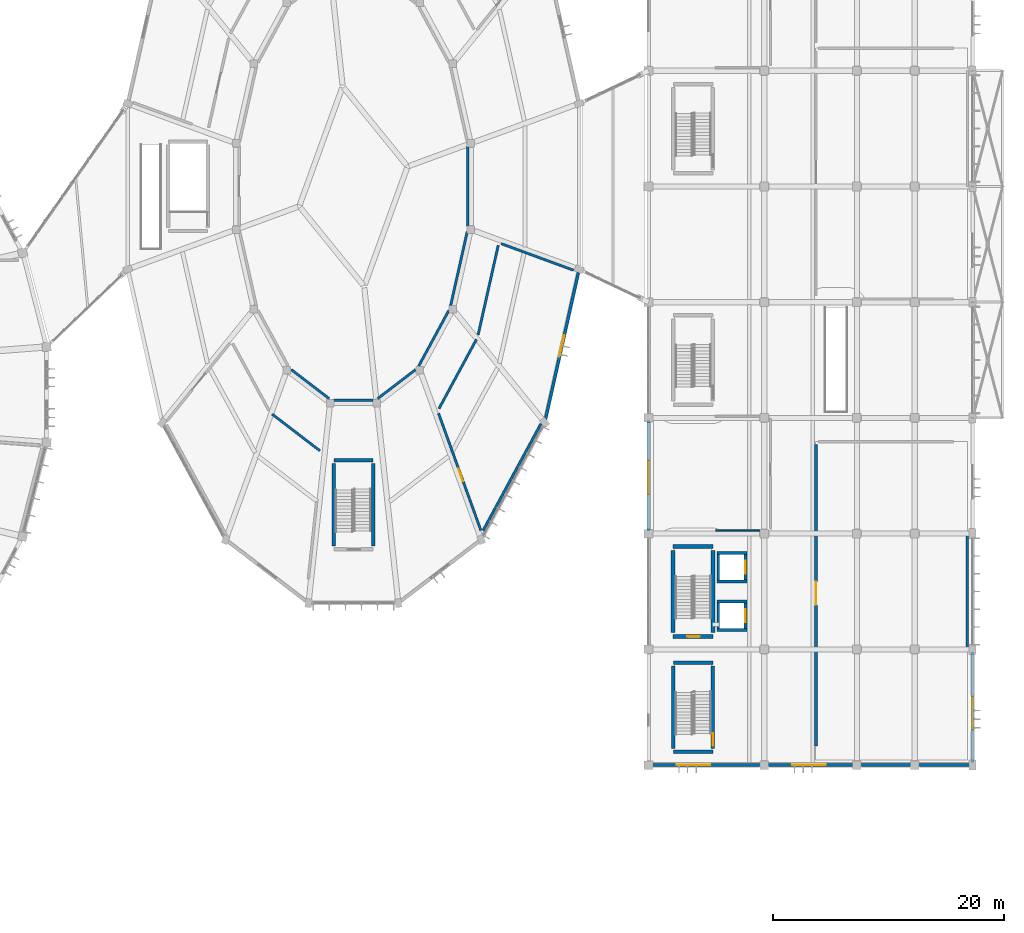
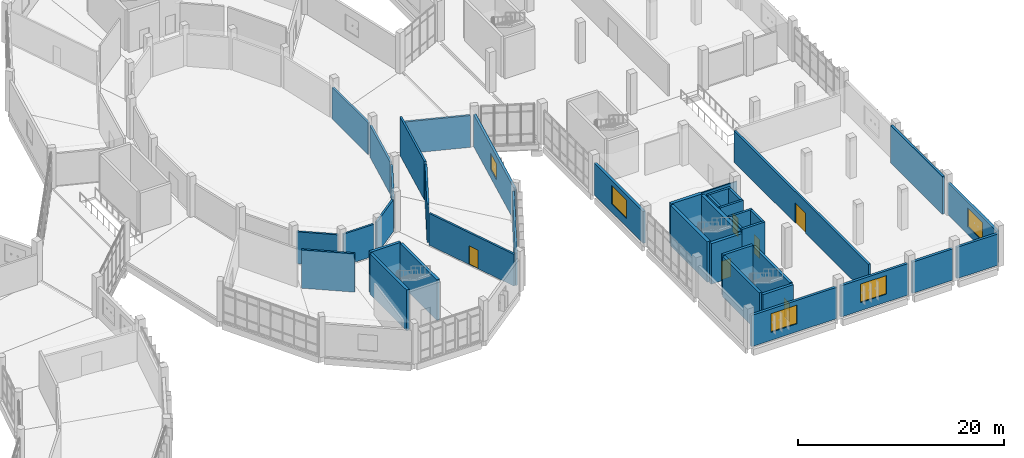
# One storey, part 124 of 179: 41 walls, 6 doors, 5 windows, 11 openings.
"""IFC4 building model written with IfcOpenShell, lengths in metres."""

from ifc_helpers import new_model, si_unit, direction, frame, frame_2d, origin, place, context, subcontext, project, spatial, rectangle, extrude, material, layer, layer_set, type_object, element, fill, save


model = new_model("IFC4")

# Units and contexts
model_context = context("Model", 3, precision=1e-05, world=origin(), true_north=direction((0.0, 1.0)))
body_context = subcontext(model_context, "Body", "Model", "MODEL_VIEW")
ifc_project = project(units=[si_unit("LENGTHUNIT", "METRE"), si_unit("AREAUNIT", "SQUARE_METRE"), si_unit("VOLUMEUNIT", "CUBIC_METRE"), si_unit("PLANEANGLEUNIT", "RADIAN"), si_unit("MASSUNIT", "GRAM", prefix="KILO")], contexts=[model_context])

# Site, building, storey
site_placement = place(None, origin())
site = spatial("IfcSite", under=ifc_project, at=site_placement, CompositionType="ELEMENT")
building_placement = place(site_placement, origin())
building = spatial("IfcBuilding", under=site, at=building_placement, Name="Corvandel Quay Wholesale Market", CompositionType="ELEMENT")
storey_placement = place(building_placement, frame((0.0, 0.0, 6.0)))
storey = spatial("IfcBuildingStorey", under=building, at=storey_placement, Name="L01", CompositionType="ELEMENT", Elevation=6.0)

# Wall, opening, window
ifc_material_1 = material(Name="Buff-pigmented precast concrete C45/55", Category="concrete")
ifc_layer_1 = layer(ifc_material_1, 0.280029296875)
ifc_layer_set_1 = layer_set([ifc_layer_1], Name="Buff-pigmented precast concrete C45/55")
wall_type_1 = type_object("IfcWallType", Name="Colonnade Spandrel Precast Wall EW07 280", PredefinedType="SOLIDWALL", material=ifc_layer_set_1)
wall_1_placement = place(storey_placement, frame((248.0, 10.219970703125, 0.0), z_axis=(0.0, 0.0, 1.0), x_axis=(0.0, 1.0, 0.0)))
wall_1 = element("IfcWall", 1, at=wall_1_placement, inside=storey, type_object=wall_type_1, Name="Exterior Wall EW-0349", PredefinedType="SOLIDWALL", context=body_context, shape_type="SweptSolid", body=[
    extrude(rectangle(XDim=9.56005859375, YDim=0.280029296875, at=frame_2d((4.780029296875, 0.0))), origin(), (0.0, 0.0, 1.0), 3.760009765625),
])
opening_1_placement = place(wall_1_placement, frame((2.800048828125, 0.0, 0.89990234375)))
opening_1 = element("IfcOpeningElement", 2, at=opening_1_placement, cuts=wall_1, Name="Opening L01-W086", PredefinedType="OPENING", context=body_context, shape_type="SweptSolid", body=[
    extrude(rectangle(XDim=2.89990234375, YDim=2.199951171875, at=frame_2d((1.449951171875, 1.10009765625))), frame((0.0, 0.14990234375, 0.0), z_axis=(0.0, -1.0, 0.0), x_axis=(1.0, 0.0, 0.0)), (0.0, 0.0, 1.0), 0.300048828125),
])
ifc_material_2 = material(Name="Thermally broken bronze anodised aluminium and solar-control low-E double glazing", Category="aluminium")
window_type_1 = type_object("IfcWindowType", Name="Canteen Harbour Window WN18 2900x2200", PartitioningType="SINGLE_PANEL", PredefinedType="WINDOW", material=ifc_material_2)
window_1_placement = place(opening_1_placement, origin())
window_1 = element("IfcWindow", 3, at=window_1_placement, inside=storey, type_object=window_type_1, Name="Window L01-W086", OverallHeight=2.199951171875, OverallWidth=2.89990234375, PartitioningType="SINGLE_PANEL", PredefinedType="WINDOW", context=body_context, shape_type="SweptSolid", body=[
    extrude(rectangle(XDim=2.89990234375, YDim=2.199951171875, at=frame_2d((1.449951171875, 1.10009765625))), frame((0.0, 0.030029296875, 0.0), z_axis=(0.0, -1.0, 0.0), x_axis=(1.0, 0.0, 0.0)), (0.0, 0.0, 1.0), 0.06005859375),
])
fill(opening_1, window_1)

wall_2_placement = place(storey_placement, frame((220.0, 30.219970703125, 0.0), z_axis=(0.0, 0.0, 1.0), x_axis=(0.0, 1.0, 0.0)))
wall_2 = element("IfcWall", 4, at=wall_2_placement, inside=storey, type_object=wall_type_1, Name="Exterior Wall EW-0352", PredefinedType="SOLIDWALL", context=body_context, shape_type="SweptSolid", body=[
    extrude(rectangle(XDim=9.56005859375, YDim=0.280029296875, at=frame_2d((4.780029296875, 0.0))), origin(), (0.0, 0.0, 1.0), 3.760009765625),
])
opening_2_placement = place(wall_2_placement, frame((3.199951171875, 0.0, 0.949951171875)))
opening_2 = element("IfcOpeningElement", 5, at=opening_2_placement, cuts=wall_2, Name="Opening L01-W089", PredefinedType="OPENING", context=body_context, shape_type="SweptSolid", body=[
    extrude(rectangle(XDim=2.89990234375, YDim=2.199951171875, at=frame_2d((1.449951171875, 1.10009765625))), frame((0.0, 0.14990234375, 0.0), z_axis=(0.0, -1.0, 0.0), x_axis=(1.0, 0.0, 0.0)), (0.0, 0.0, 1.0), 0.300048828125),
])
window_2_placement = place(opening_2_placement, origin())
window_2 = element("IfcWindow", 6, at=window_2_placement, inside=storey, type_object=window_type_1, Name="Window L01-W089", OverallHeight=2.199951171875, OverallWidth=2.89990234375, PartitioningType="SINGLE_PANEL", PredefinedType="WINDOW", context=body_context, shape_type="SweptSolid", body=[
    extrude(rectangle(XDim=2.89990234375, YDim=2.199951171875, at=frame_2d((1.449951171875, 1.10009765625))), frame((0.0, 0.030029296875, 0.0), z_axis=(0.0, -1.0, 0.0), x_axis=(1.0, 0.0, 0.0)), (0.0, 0.0, 1.0), 0.06005859375),
])
fill(opening_2, window_2)

wall_3_placement = place(storey_placement, frame((220.219970703125, 10.0, 0.0), z_axis=(0.0, 0.0, 1.0), x_axis=(1.0, 0.0, 0.0)))
wall_3 = element("IfcWall", 7, at=wall_3_placement, inside=storey, type_object=wall_type_1, Name="Exterior Wall EW-0358", PredefinedType="SOLIDWALL", context=body_context, shape_type="SweptSolid", body=[
    extrude(rectangle(XDim=9.56005859375, YDim=0.280029296875, at=frame_2d((4.780029296875, 0.0))), origin(), (0.0, 0.0, 1.0), 3.7099609375),
])
opening_3_placement = place(wall_3_placement, frame((2.199951171875, 0.0, 0.949951171875)))
opening_3 = element("IfcOpeningElement", 8, at=opening_3_placement, cuts=wall_3, Name="Opening L01-W095", PredefinedType="OPENING", context=body_context, shape_type="SweptSolid", body=[
    extrude(rectangle(XDim=2.89990234375, YDim=2.199951171875, at=frame_2d((1.449951171875, 1.10009765625))), frame((0.0, 0.14990234375, 0.0), z_axis=(0.0, -1.0, 0.0), x_axis=(1.0, 0.0, 0.0)), (0.0, 0.0, 1.0), 0.300048828125),
])
window_3_placement = place(opening_3_placement, origin())
window_3 = element("IfcWindow", 9, at=window_3_placement, inside=storey, type_object=window_type_1, Name="Window L01-W095", OverallHeight=2.199951171875, OverallWidth=2.89990234375, PartitioningType="SINGLE_PANEL", PredefinedType="WINDOW", context=body_context, shape_type="SweptSolid", body=[
    extrude(rectangle(XDim=2.89990234375, YDim=2.199951171875, at=frame_2d((1.449951171875, 1.10009765625))), frame((0.0, 0.030029296875, 0.0), z_axis=(0.0, -1.0, 0.0), x_axis=(1.0, 0.0, 0.0)), (0.0, 0.0, 1.0), 0.06005859375),
])
fill(opening_3, window_3)

wall_4_placement = place(storey_placement, frame((230.219970703125, 10.0, 0.0), z_axis=(0.0, 0.0, 1.0), x_axis=(1.0, 0.0, 0.0)))
wall_4 = element("IfcWall", 10, at=wall_4_placement, inside=storey, type_object=wall_type_1, Name="Exterior Wall EW-0360", PredefinedType="SOLIDWALL", context=body_context, shape_type="SweptSolid", body=[
    extrude(rectangle(XDim=7.56005859375, YDim=0.280029296875, at=frame_2d((3.780029296875, 0.0))), origin(), (0.0, 0.0, 1.0), 3.7099609375),
])
opening_4_placement = place(wall_4_placement, frame((2.199951171875, 0.0, 0.949951171875)))
opening_4 = element("IfcOpeningElement", 11, at=opening_4_placement, cuts=wall_4, Name="Opening L01-W097", PredefinedType="OPENING", context=body_context, shape_type="SweptSolid", body=[
    extrude(rectangle(XDim=2.89990234375, YDim=2.199951171875, at=frame_2d((1.449951171875, 1.10009765625))), frame((0.0, 0.14990234375, 0.0), z_axis=(0.0, -1.0, 0.0), x_axis=(1.0, 0.0, 0.0)), (0.0, 0.0, 1.0), 0.300048828125),
])
window_4_placement = place(opening_4_placement, origin())
window_4 = element("IfcWindow", 12, at=window_4_placement, inside=storey, type_object=window_type_1, Name="Window L01-W097", OverallHeight=2.199951171875, OverallWidth=2.89990234375, PartitioningType="SINGLE_PANEL", PredefinedType="WINDOW", context=body_context, shape_type="SweptSolid", body=[
    extrude(rectangle(XDim=2.89990234375, YDim=2.199951171875, at=frame_2d((1.449951171875, 1.10009765625))), frame((0.0, 0.030029296875, 0.0), z_axis=(0.0, -1.0, 0.0), x_axis=(1.0, 0.0, 0.0)), (0.0, 0.0, 1.0), 0.06005859375),
])
fill(opening_4, window_4)

# Walls
for number, where, z_axis, x_axis, name in (
    (13, (238.219970703125, 10.0, 0.0), (0.0, 0.0, 1.0), (1.0, 0.0, 0.0), "Exterior Wall EW-0362"),
    (14, (243.219970703125, 10.0, 0.0), (0.0, 0.0, 1.0), (1.0, 0.0, 0.0), "Exterior Wall EW-0364"),
):
    element("IfcWall", number, at=place(storey_placement, frame(where, z_axis=z_axis, x_axis=x_axis)), inside=storey, type_object=wall_type_1, Name=name, PredefinedType="SOLIDWALL", context=body_context, shape_type="SweptSolid", body=[
        extrude(rectangle(XDim=4.56005859375, YDim=0.280029296875, at=frame_2d((2.280029296875, 0.0))), origin(), (0.0, 0.0, 1.0), 3.7099609375),
    ])

# Wall, opening, door
ifc_material_3 = material(Name="Concrete C40/50", Category="concrete")
ifc_layer_2 = layer(ifc_material_3, 0.35009765625)
ifc_layer_set_2 = layer_set([ifc_layer_2], Name="Concrete C40/50")
wall_type_2 = type_object("IfcWallType", Name="Core Shear Wall SW01 350", PredefinedType="SHEAR", material=ifc_layer_set_2)
wall_5_placement = place(storey_placement, frame((222.125, 21.125, 0.0), z_axis=(0.0, 0.0, 1.0), x_axis=(1.0, 0.0, 0.0)))
wall_5 = element("IfcWall", 15, at=wall_5_placement, inside=storey, type_object=wall_type_2, Name="Shear Wall IW-0165", PredefinedType="SHEAR", context=body_context, shape_type="SweptSolid", body=[
    extrude(rectangle(XDim=3.449951171875, YDim=0.35009765625, at=frame_2d((1.72509765625, 0.0))), origin(), (0.0, 0.0, 1.0), 4.800048828125),
])
opening_5_placement = place(wall_5_placement, frame((1.199951171875, 0.0, 0.0)))
opening_5 = element("IfcOpeningElement", 16, at=opening_5_placement, cuts=wall_5, Name="Opening L01-D017", PredefinedType="OPENING", context=body_context, shape_type="SweptSolid", body=[
    extrude(rectangle(XDim=1.10009765625, YDim=2.199951171875, at=frame_2d((0.550048828125, 1.10009765625))), frame((0.0, 0.18505859375, 0.0), z_axis=(0.0, -1.0, 0.0), x_axis=(1.0, 0.0, 0.0)), (0.0, 0.0, 1.0), 0.3701171875),
])
ifc_material_4 = material(Name="Galvanised fire-rated hollow steel", Category="steel")
door_type_1 = type_object("IfcDoorType", Name="Exit Stair Fire Door ID02 1100x2200R", OperationType="SINGLE_SWING_RIGHT", PredefinedType="DOOR", material=ifc_material_4)
door_1_placement = place(opening_5_placement, origin())
door_1 = element("IfcDoor", 17, at=door_1_placement, inside=storey, type_object=door_type_1, Name="Exit Stair Door SH16-L01", OperationType="SINGLE_SWING_RIGHT", OverallHeight=2.199951171875, OverallWidth=1.10009765625, PredefinedType="DOOR", context=body_context, shape_type="SweptSolid", body=[
    extrude(rectangle(XDim=1.10009765625, YDim=2.199951171875, at=frame_2d((0.550048828125, 1.10009765625))), frame((0.0, 0.02490234375, 0.0), z_axis=(0.0, -1.0, 0.0), x_axis=(1.0, 0.0, 0.0)), (0.0, 0.0, 1.0), 0.050048828125),
])
fill(opening_5, door_1)

# Walls
wall_6_placement = place(storey_placement, frame((222.125, 28.875, 0.0), z_axis=(0.0, 0.0, 1.0), x_axis=(1.0, 0.0, 0.0)))
element("IfcWall", 18, at=wall_6_placement, inside=storey, type_object=wall_type_2, Name="Shear Wall IW-0166", PredefinedType="SHEAR", context=body_context, shape_type="SweptSolid", body=[
    extrude(rectangle(XDim=3.449951171875, YDim=0.35009765625, at=frame_2d((1.72509765625, 0.0))), origin(), (0.0, 0.0, 1.0), 4.800048828125),
])
for number, where, z_axis, x_axis, name in (
    (19, (222.125, 21.43994140625, 0.0), (0.0, 0.0, 1.0), (0.0, 1.0, 0.0), "Shear Wall IW-0167"),
    (20, (225.574951171875, 21.43994140625, 0.0), (0.0, 0.0, 1.0), (0.0, 1.0, 0.0), "Shear Wall IW-0168"),
):
    element("IfcWall", number, at=place(storey_placement, frame(where, z_axis=z_axis, x_axis=x_axis)), inside=storey, type_object=wall_type_2, Name=name, PredefinedType="SHEAR", context=body_context, shape_type="SweptSolid", body=[
        extrude(rectangle(XDim=7.1201171875, YDim=0.35009765625, at=frame_2d((3.56005859375, 0.0))), origin(), (0.0, 0.0, 1.0), 4.800048828125),
    ])
ifc_material_5 = material(Name="Gypsum-clad steel stud framing", Category="steel")
ifc_layer_3 = layer(ifc_material_5, 0.2099609375)
ifc_layer_set_3 = layer_set([ifc_layer_3], Name="Gypsum-clad steel stud framing")
wall_type_3 = type_object("IfcWallType", Name="Corridor Rated Partition PT02 210", PredefinedType="PARTITIONING", material=ifc_layer_set_3)
wall_7_placement = place(storey_placement, frame((204.331787109375, 56.09033203125, 0.0), z_axis=(0.0, 0.0, 1.0), x_axis=(-0.218983275202, -0.975728612464, 0.0)))
element("IfcWall", 21, at=wall_7_placement, inside=storey, type_object=wall_type_3, Name="Interior Wall IW-0711", PredefinedType="PARTITIONING", context=body_context, shape_type="SweptSolid", body=[
    extrude(rectangle(XDim=6.546630859375, YDim=0.2099609375, at=frame_2d((3.2734375, 0.0))), origin(), (0.0, 0.0, 1.0), 3.760009765625),
])
wall_8_placement = place(storey_placement, frame((202.7451171875, 49.29443359375, 0.0), z_axis=(0.0, 0.0, 1.0), x_axis=(-0.476219723691, -0.879326318705, 0.0)))
element("IfcWall", 22, at=wall_8_placement, inside=storey, type_object=wall_type_3, Name="Interior Wall IW-0712", PredefinedType="PARTITIONING", context=body_context, shape_type="SweptSolid", body=[
    extrude(rectangle(XDim=5.456298828125, YDim=0.2099609375, at=frame_2d((2.72802734375, 0.0))), origin(), (0.0, 0.0, 1.0), 3.760009765625),
])
wall_9_placement = place(storey_placement, frame((199.8671875, 44.16943359375, 0.0), z_axis=(0.0, 0.0, 1.0), x_axis=(-0.794324097456, -0.607494220714, 0.0)))
element("IfcWall", 23, at=wall_9_placement, inside=storey, type_object=wall_type_3, Name="Interior Wall IW-0713", PredefinedType="PARTITIONING", context=body_context, shape_type="SweptSolid", body=[
    extrude(rectangle(XDim=4.1083984375, YDim=0.2099609375, at=frame_2d((2.05419921875, 0.0))), origin(), (0.0, 0.0, 1.0), 3.760009765625),
])
wall_10_placement = place(storey_placement, frame((196.208984375, 41.5400390625, 0.0), z_axis=(0.0, 0.0, 1.0), x_axis=(-1.0, 0.0, 0.0)))
element("IfcWall", 24, at=wall_10_placement, inside=storey, type_object=wall_type_3, Name="Interior Wall IW-0714", PredefinedType="PARTITIONING", context=body_context, shape_type="SweptSolid", body=[
    extrude(rectangle(XDim=3.41796875, YDim=0.2099609375, at=frame_2d((1.708984375, 0.0))), origin(), (0.0, 0.0, 1.0), 3.760009765625),
])
wall_11_placement = place(storey_placement, frame((192.396240234375, 41.673583984375, 0.0), z_axis=(0.0, 0.0, 1.0), x_axis=(-0.794324097456, 0.607494220714, 0.0)))
element("IfcWall", 25, at=wall_11_placement, inside=storey, type_object=wall_type_3, Name="Interior Wall IW-0715", PredefinedType="PARTITIONING", context=body_context, shape_type="SweptSolid", body=[
    extrude(rectangle(XDim=4.1083984375, YDim=0.2099609375, at=frame_2d((2.05419921875, 0.0))), origin(), (0.0, 0.0, 1.0), 3.760009765625),
])
wall_12_placement = place(storey_placement, frame((204.3798828125, 63.47509765625, 0.0), z_axis=(0.0, 0.0, 1.0), x_axis=(0.0, -1.0, 0.0)))
element("IfcWall", 26, at=wall_12_placement, inside=storey, type_object=wall_type_3, Name="Interior Wall IW-0726", PredefinedType="PARTITIONING", context=body_context, shape_type="SweptSolid", body=[
    extrude(rectangle(XDim=6.9501953125, YDim=0.2099609375, at=frame_2d((3.47509765625, 0.0))), origin(), (0.0, 0.0, 1.0), 3.760009765625),
])
wall_13_placement = place(storey_placement, frame((187.4736328125, 40.3271484375, 0.0), z_axis=(0.0, 0.0, 1.0), x_axis=(0.793657647785, -0.608364642392, 0.0)))
element("IfcWall", 27, at=wall_13_placement, inside=storey, type_object=wall_type_3, Name="Interior Wall IW-0742", PredefinedType="PARTITIONING", context=body_context, shape_type="SweptSolid", body=[
    extrude(rectangle(XDim=5.209716796875, YDim=0.2099609375, at=frame_2d((2.60498046875, 0.0))), origin(), (0.0, 0.0, 1.0), 4.5400390625),
])
wall_14_placement = place(storey_placement, frame((201.8837890625, 40.78857421875, 0.0), z_axis=(0.0, 0.0, 1.0), x_axis=(0.475826771509, 0.87953901762, 0.0)))
element("IfcWall", 28, at=wall_14_placement, inside=storey, type_object=wall_type_3, Name="Interior Wall IW-0744", PredefinedType="PARTITIONING", context=body_context, shape_type="SweptSolid", body=[
    extrude(rectangle(XDim=6.80810546875, YDim=0.2099609375, at=frame_2d((3.404052734375, 0.0))), origin(), (0.0, 0.0, 1.0), 4.5400390625),
])
wall_15_placement = place(storey_placement, frame((205.276123046875, 47.184814453125, 0.0), z_axis=(0.0, 0.0, 1.0), x_axis=(0.219151477766, 0.975690847448, 0.0)))
element("IfcWall", 29, at=wall_15_placement, inside=storey, type_object=wall_type_3, Name="Interior Wall IW-0745", PredefinedType="PARTITIONING", context=body_context, shape_type="SweptSolid", body=[
    extrude(rectangle(XDim=7.924072265625, YDim=0.2099609375, at=frame_2d((3.9619140625, 0.0))), origin(), (0.0, 0.0, 1.0), 4.5400390625),
])
wall_16_placement = place(storey_placement, frame((207.267578125, 55.05517578125, 0.0), z_axis=(0.0, 0.0, 1.0), x_axis=(0.938715317885, -0.344693417356, 0.0)))
element("IfcWall", 30, at=wall_16_placement, inside=storey, type_object=wall_type_3, Name="Interior Wall IW-0746", PredefinedType="PARTITIONING", context=body_context, shape_type="SweptSolid", body=[
    extrude(rectangle(XDim=6.653564453125, YDim=0.2099609375, at=frame_2d((3.32666015625, 0.0))), origin(), (0.0, 0.0, 1.0), 3.760009765625),
])
wall_17_placement = place(storey_placement, frame((210.69921875, 39.49951171875, 0.0), z_axis=(0.0, 0.0, 1.0), x_axis=(-0.476238988817, -0.879315884953, 0.0)))
element("IfcWall", 31, at=wall_17_placement, inside=storey, type_object=wall_type_3, Name="Interior Wall IW-0747", PredefinedType="PARTITIONING", context=body_context, shape_type="SweptSolid", body=[
    extrude(rectangle(XDim=10.508056640625, YDim=0.2099609375, at=frame_2d((5.25390625, 0.0))), origin(), (0.0, 0.0, 1.0), 3.81005859375),
])

# Wall, opening, door
wall_18_placement = place(storey_placement, frame((205.51513671875, 30.27294921875, 0.0), z_axis=(0.0, 0.0, 1.0), x_axis=(-0.340335914529, 0.940303921763, 0.0)))
wall_18 = element("IfcWall", 32, at=wall_18_placement, inside=storey, type_object=wall_type_3, Name="Interior Wall IW-0748", PredefinedType="PARTITIONING", context=body_context, shape_type="SweptSolid", body=[
    extrude(rectangle(XDim=10.75732421875, YDim=0.2099609375, at=frame_2d((5.378662109375, 0.0))), origin(), (0.0, 0.0, 1.0), 3.760009765625),
])
opening_6_placement = place(wall_18_placement, frame((4.529052734375, 0.0, 0.0)))
opening_6 = element("IfcOpeningElement", 33, at=opening_6_placement, cuts=wall_18, Name="Opening L01-D051", PredefinedType="OPENING", context=body_context, shape_type="SweptSolid", body=[
    extrude(rectangle(XDim=1.14990234375, YDim=2.199951171875, at=frame_2d((0.574951171875, 1.10009765625))), frame((0.0, 0.114990234375, 0.0), z_axis=(0.0, -1.0, 0.0), x_axis=(1.0, 0.0, 0.0)), (0.0, 0.0, 1.0), 0.22998046875),
])
ifc_material_6 = material(Name="HPL-faced hygienic timber core", Category="wood")
door_type_2 = type_object("IfcDoorType", Name="Inspection Suite Door ID20 1150x2200L", OperationType="SINGLE_SWING_LEFT", PredefinedType="DOOR", material=ifc_material_6)
door_2_placement = place(opening_6_placement, origin())
door_2 = element("IfcDoor", 34, at=door_2_placement, inside=storey, type_object=door_type_2, Name="Auction Specimen Inspection Lounge Door", OperationType="SINGLE_SWING_LEFT", OverallHeight=2.199951171875, OverallWidth=1.14990234375, PredefinedType="DOOR", context=body_context, shape_type="SweptSolid", body=[
    extrude(rectangle(XDim=1.14990234375, YDim=2.199951171875, at=frame_2d((0.574951171875, 1.10009765625))), frame((0.0, 0.02490234375, 0.0), z_axis=(0.0, -1.0, 0.0), x_axis=(1.0, 0.0, 0.0)), (0.0, 0.0, 1.0), 0.050048828125),
])
fill(opening_6, door_2)

ifc_material_7 = material(Name="Lightweight concrete blockwork", Category="masonry")
ifc_layer_4 = layer(ifc_material_7, 0.239990234375)
ifc_layer_set_4 = layer_set([ifc_layer_4], Name="Lightweight concrete blockwork")
wall_type_4 = type_object("IfcWallType", Name="Fire Compartment Partition PT01 240", PredefinedType="PARTITIONING", material=ifc_layer_set_4)
wall_19_placement = place(storey_placement, frame((234.4599609375, 11.669921875, 0.0), z_axis=(0.0, 0.0, 1.0), x_axis=(0.0, 1.0, 0.0)))
wall_19 = element("IfcWall", 35, at=wall_19_placement, inside=storey, type_object=wall_type_4, Name="Interior Wall IW-0871", PredefinedType="PARTITIONING", context=body_context, shape_type="SweptSolid", body=[
    extrude(rectangle(XDim=26.050048828125, YDim=0.239990234375, at=frame_2d((13.02490234375, 0.0))), origin(), (0.0, 0.0, 1.0), 3.7099609375),
])
opening_7_placement = place(wall_19_placement, frame((12.175048828125, 0.0, 0.0)))
opening_7 = element("IfcOpeningElement", 36, at=opening_7_placement, cuts=wall_19, Name="Opening L01-D066", PredefinedType="OPENING", context=body_context, shape_type="SweptSolid", body=[
    extrude(rectangle(XDim=2.0, YDim=2.35009765625, at=frame_2d((1.0, 1.175048828125))), frame((0.0, 0.1298828125, 0.0), z_axis=(0.0, -1.0, 0.0), x_axis=(1.0, 0.0, 0.0)), (0.0, 0.0, 1.0), 0.260009765625),
])
ifc_material_8 = material(Name="Heavy-duty anodised aluminium", Category="aluminium")
door_type_3 = type_object("IfcDoorType", Name="Trading Stall Double Door ID05 2000x2350", OperationType="DOUBLE_DOOR_SINGLE_SWING", PredefinedType="DOOR", material=ifc_material_8)
door_3_placement = place(opening_7_placement, origin())
door_3 = element("IfcDoor", 37, at=door_3_placement, inside=storey, type_object=door_type_3, Name="Market Workers Canteen Dining Hall Door", OperationType="DOUBLE_DOOR_SINGLE_SWING", OverallHeight=2.35009765625, OverallWidth=2.0, PredefinedType="DOOR", context=body_context, shape_type="SweptSolid", body=[
    extrude(rectangle(XDim=2.0, YDim=2.35009765625, at=frame_2d((1.0, 1.175048828125))), frame((0.0, 0.02490234375, 0.0), z_axis=(0.0, -1.0, 0.0), x_axis=(1.0, 0.0, 0.0)), (0.0, 0.0, 1.0), 0.050048828125),
])
fill(opening_7, door_3)

# Walls
wall_20_placement = place(storey_placement, frame((247.5400390625, 30.0, 0.0), z_axis=(0.0, 0.0, 1.0), x_axis=(0.0, -1.0, 0.0)))
element("IfcWall", 38, at=wall_20_placement, inside=storey, type_object=wall_type_4, Name="Interior Wall IW-0873", PredefinedType="PARTITIONING", context=body_context, shape_type="SweptSolid", body=[
    extrude(rectangle(XDim=10.0, YDim=0.239990234375, at=frame_2d((5.0, 0.0))), origin(), (0.0, 0.0, 1.0), 4.4599609375),
])
ifc_layer_5 = layer(ifc_material_3, 0.25)
ifc_layer_set_5 = layer_set([ifc_layer_5], Name="Concrete C40/50")
wall_type_5 = type_object("IfcWallType", Name="Lift Shaft Shear Wall SW03 250", PredefinedType="SHEAR", material=ifc_layer_set_5)
for number, where, z_axis, x_axis, name in (
    (39, (225.89990234375, 21.675048828125, 0.0), (0.0, 0.0, 1.0), (1.0, 0.0, 0.0), "Shear Wall IW-0325"),
    (40, (225.89990234375, 24.125, 0.0), (0.0, 0.0, 1.0), (1.0, 0.0, 0.0), "Shear Wall IW-0326"),
):
    element("IfcWall", number, at=place(storey_placement, frame(where, z_axis=z_axis, x_axis=x_axis)), inside=storey, type_object=wall_type_5, Name=name, PredefinedType="SHEAR", context=body_context, shape_type="SweptSolid", body=[
        extrude(rectangle(XDim=2.60009765625, YDim=0.25, at=frame_2d((1.300048828125, 0.0))), origin(), (0.0, 0.0, 1.0), 4.800048828125),
    ])
wall_21_placement = place(storey_placement, frame((226.02490234375, 21.7900390625, 0.0), z_axis=(0.0, 0.0, 1.0), x_axis=(0.0, 1.0, 0.0)))
element("IfcWall", 41, at=wall_21_placement, inside=storey, type_object=wall_type_5, Name="Shear Wall IW-0327", PredefinedType="SHEAR", context=body_context, shape_type="SweptSolid", body=[
    extrude(rectangle(XDim=2.219970703125, YDim=0.25, at=frame_2d((1.10986328125, 0.0))), origin(), (0.0, 0.0, 1.0), 4.800048828125),
])

# Wall, opening, door
wall_22_placement = place(storey_placement, frame((228.375, 21.7900390625, 0.0), z_axis=(0.0, 0.0, 1.0), x_axis=(0.0, 1.0, 0.0)))
wall_22 = element("IfcWall", 42, at=wall_22_placement, inside=storey, type_object=wall_type_5, Name="Shear Wall IW-0328", PredefinedType="SHEAR", context=body_context, shape_type="SweptSolid", body=[
    extrude(rectangle(XDim=2.219970703125, YDim=0.25, at=frame_2d((1.10986328125, 0.0))), origin(), (0.0, 0.0, 1.0), 4.800048828125),
])
opening_8_placement = place(wall_22_placement, frame((0.56005859375, 0.0, 0.0)))
opening_8 = element("IfcOpeningElement", 43, at=opening_8_placement, cuts=wall_22, Name="Opening LD-L01-029", PredefinedType="OPENING", context=body_context, shape_type="SweptSolid", body=[
    extrude(rectangle(XDim=1.10009765625, YDim=2.199951171875, at=frame_2d((0.550048828125, 1.10009765625))), frame((0.0, 0.135009765625, 0.0), z_axis=(0.0, -1.0, 0.0), x_axis=(1.0, 0.0, 0.0)), (0.0, 0.0, 1.0), 0.27001953125),
])
ifc_material_9 = material(Name="Brushed stainless steel", Category="steel")
door_type_4 = type_object("IfcDoorType", Name="Passenger Lift Landing Door LD01 1100x2200", OperationType="DOUBLE_DOOR_SLIDING", PredefinedType="DOOR", material=ifc_material_9)
door_4_placement = place(opening_8_placement, origin())
door_4 = element("IfcDoor", 44, at=door_4_placement, inside=storey, type_object=door_type_4, Name="Lift Landing Door LF-V5P1-L01", OperationType="DOUBLE_DOOR_SLIDING", OverallHeight=2.199951171875, OverallWidth=1.10009765625, PredefinedType="DOOR", context=body_context, shape_type="SweptSolid", body=[
    extrude(rectangle(XDim=1.10009765625, YDim=2.199951171875, at=frame_2d((0.550048828125, 1.10009765625))), frame((0.0, 0.02490234375, 0.0), z_axis=(0.0, -1.0, 0.0), x_axis=(1.0, 0.0, 0.0)), (0.0, 0.0, 1.0), 0.050048828125),
])
fill(opening_8, door_4)

# Walls
for number, where, z_axis, x_axis, name in (
    (45, (225.89990234375, 25.875, 0.0), (0.0, 0.0, 1.0), (1.0, 0.0, 0.0), "Shear Wall IW-0341"),
    (46, (225.89990234375, 28.324951171875, 0.0), (0.0, 0.0, 1.0), (1.0, 0.0, 0.0), "Shear Wall IW-0342"),
):
    element("IfcWall", number, at=place(storey_placement, frame(where, z_axis=z_axis, x_axis=x_axis)), inside=storey, type_object=wall_type_5, Name=name, PredefinedType="SHEAR", context=body_context, shape_type="SweptSolid", body=[
        extrude(rectangle(XDim=2.60009765625, YDim=0.25, at=frame_2d((1.300048828125, 0.0))), origin(), (0.0, 0.0, 1.0), 4.800048828125),
    ])
wall_23_placement = place(storey_placement, frame((226.02490234375, 25.989990234375, 0.0), z_axis=(0.0, 0.0, 1.0), x_axis=(0.0, 1.0, 0.0)))
element("IfcWall", 47, at=wall_23_placement, inside=storey, type_object=wall_type_5, Name="Shear Wall IW-0343", PredefinedType="SHEAR", context=body_context, shape_type="SweptSolid", body=[
    extrude(rectangle(XDim=2.219970703125, YDim=0.25, at=frame_2d((1.10986328125, 0.0))), origin(), (0.0, 0.0, 1.0), 4.800048828125),
])

# Wall, opening, door
wall_24_placement = place(storey_placement, frame((228.375, 25.989990234375, 0.0), z_axis=(0.0, 0.0, 1.0), x_axis=(0.0, 1.0, 0.0)))
wall_24 = element("IfcWall", 48, at=wall_24_placement, inside=storey, type_object=wall_type_5, Name="Shear Wall IW-0344", PredefinedType="SHEAR", context=body_context, shape_type="SweptSolid", body=[
    extrude(rectangle(XDim=2.219970703125, YDim=0.25, at=frame_2d((1.10986328125, 0.0))), origin(), (0.0, 0.0, 1.0), 4.800048828125),
])
opening_9_placement = place(wall_24_placement, frame((0.56005859375, 0.0, 0.0)))
opening_9 = element("IfcOpeningElement", 49, at=opening_9_placement, cuts=wall_24, Name="Opening LD-L01-030", PredefinedType="OPENING", context=body_context, shape_type="SweptSolid", body=[
    extrude(rectangle(XDim=1.10009765625, YDim=2.199951171875, at=frame_2d((0.550048828125, 1.10009765625))), frame((0.0, 0.135009765625, 0.0), z_axis=(0.0, -1.0, 0.0), x_axis=(1.0, 0.0, 0.0)), (0.0, 0.0, 1.0), 0.27001953125),
])
door_5_placement = place(opening_9_placement, origin())
door_5 = element("IfcDoor", 50, at=door_5_placement, inside=storey, type_object=door_type_4, Name="Lift Landing Door LF-V5P2-L01", OperationType="DOUBLE_DOOR_SLIDING", OverallHeight=2.199951171875, OverallWidth=1.10009765625, PredefinedType="DOOR", context=body_context, shape_type="SweptSolid", body=[
    extrude(rectangle(XDim=1.10009765625, YDim=2.199951171875, at=frame_2d((0.550048828125, 1.10009765625))), frame((0.0, 0.02490234375, 0.0), z_axis=(0.0, -1.0, 0.0), x_axis=(1.0, 0.0, 0.0)), (0.0, 0.0, 1.0), 0.050048828125),
])
fill(opening_9, door_5)

# Wall
ifc_material_10 = material(Name="Double-layer acoustic gypsum stud partition")
ifc_layer_6 = layer(ifc_material_10, 0.139892578125)
ifc_layer_set_6 = layer_set([ifc_layer_6], Name="Double-layer acoustic gypsum stud partition")
wall_type_6 = type_object("IfcWallType", Name="Office Acoustic Partition PT07 140", PredefinedType="PARTITIONING", material=ifc_layer_set_6)
wall_25_placement = place(storey_placement, frame((230.320068359375, 30.260009765625, 0.0), z_axis=(0.0, 0.0, 1.0), x_axis=(-1.0, 0.0, 0.0)))
element("IfcWall", 51, at=wall_25_placement, inside=storey, type_object=wall_type_6, Name="Interior Wall IW-0884", PredefinedType="PARTITIONING", context=body_context, shape_type="SweptSolid", body=[
    extrude(rectangle(XDim=4.525146484375, YDim=0.139892578125, at=frame_2d((2.2626953125, 0.0))), origin(), (0.0, 0.0, 1.0), 3.7099609375),
])

# Wall, opening, window
ifc_material_11 = material(Name="Terracotta precast concrete C45/55", Category="masonry")
ifc_layer_7 = layer(ifc_material_11, 0.260009765625)
ifc_layer_set_7 = layer_set([ifc_layer_7], Name="Terracotta precast concrete C45/55")
wall_type_7 = type_object("IfcWallType", Name="Pavilion Pilaster Infill Wall EW08 260", PredefinedType="SOLIDWALL", material=ifc_layer_set_7)
wall_26_placement = place(storey_placement, frame((211.0791015625, 39.82275390625, 0.0), z_axis=(0.0, 0.0, 1.0), x_axis=(0.218965309906, 0.975732644251, 0.0)))
wall_26 = element("IfcWall", 52, at=wall_26_placement, inside=storey, type_object=wall_type_7, Name="Exterior Wall EW-0193", PredefinedType="SOLIDWALL", context=body_context, shape_type="SweptSolid", body=[
    extrude(rectangle(XDim=13.119873046875, YDim=0.260009765625, at=frame_2d((6.56005859375, 0.0))), origin(), (0.0, 0.0, 1.0), 3.81005859375),
])
opening_10_placement = place(wall_26_placement, frame((5.610107421875, 0.0, 1.0)))
opening_10 = element("IfcOpeningElement", 53, at=opening_10_placement, cuts=wall_26, Name="Opening L01-W051", PredefinedType="OPENING", context=body_context, shape_type="SweptSolid", body=[
    extrude(rectangle(XDim=1.89990234375, YDim=1.89990234375, at=frame_2d((0.949951171875, 0.949951171875))), frame((0.0, 0.139892578125, 0.0), z_axis=(0.0, -1.0, 0.0), x_axis=(1.0, 0.0, 0.0)), (0.0, 0.0, 1.0), 0.280029296875),
])
window_type_2 = type_object("IfcWindowType", Name="Auction Gallery Window WN12 1900x1900", PartitioningType="SINGLE_PANEL", PredefinedType="WINDOW", material=ifc_material_2)
window_5_placement = place(opening_10_placement, origin())
window_5 = element("IfcWindow", 54, at=window_5_placement, inside=storey, type_object=window_type_2, Name="Window L01-W051", OverallHeight=1.89990234375, OverallWidth=1.89990234375, PartitioningType="SINGLE_PANEL", PredefinedType="WINDOW", context=body_context, shape_type="SweptSolid", body=[
    extrude(rectangle(XDim=1.89990234375, YDim=1.89990234375, at=frame_2d((0.949951171875, 0.949951171875))), frame((0.0, 0.030029296875, 0.0), z_axis=(0.0, -1.0, 0.0), x_axis=(1.0, 0.0, 0.0)), (0.0, 0.0, 1.0), 0.06005859375),
])
fill(opening_10, window_5)

# Walls
ifc_layer_8 = layer(ifc_material_3, 0.300048828125)
ifc_layer_set_8 = layer_set([ifc_layer_8], Name="Concrete C40/50")
wall_type_8 = type_object("IfcWallType", Name="Stair Shaft Shear Wall SW02 300", PredefinedType="SHEAR", material=ifc_layer_set_8)
wall_27_placement = place(storey_placement, frame((192.800048828125, 36.35009765625, 0.0), z_axis=(0.0, 0.0, 1.0), x_axis=(1.0, 0.0, 0.0)))
element("IfcWall", 55, at=wall_27_placement, inside=storey, type_object=wall_type_8, Name="Shear Wall IW-0094", PredefinedType="SHEAR", context=body_context, shape_type="SweptSolid", body=[
    extrude(rectangle(XDim=3.39990234375, YDim=0.300048828125, at=frame_2d((1.699951171875, 0.0))), origin(), (0.0, 0.0, 1.0), 4.800048828125),
])
for number, where, z_axis, x_axis, name in (
    (56, (192.800048828125, 28.93994140625, 0.0), (0.0, 0.0, 1.0), (0.0, 1.0, 0.0), "Shear Wall IW-0095"),
    (57, (196.199951171875, 28.93994140625, 0.0), (0.0, 0.0, 1.0), (0.0, 1.0, 0.0), "Shear Wall IW-0096"),
):
    element("IfcWall", number, at=place(storey_placement, frame(where, z_axis=z_axis, x_axis=x_axis)), inside=storey, type_object=wall_type_8, Name=name, PredefinedType="SHEAR", context=body_context, shape_type="SweptSolid", body=[
        extrude(rectangle(XDim=7.1201171875, YDim=0.300048828125, at=frame_2d((3.56005859375, 0.0))), origin(), (0.0, 0.0, 1.0), 4.800048828125),
    ])
for number, where, z_axis, x_axis, name in (
    (58, (222.14990234375, 11.14990234375, 0.0), (0.0, 0.0, 1.0), (1.0, 0.0, 0.0), "Shear Wall IW-0213"),
    (59, (222.14990234375, 18.85009765625, 0.0), (0.0, 0.0, 1.0), (1.0, 0.0, 0.0), "Shear Wall IW-0214"),
):
    element("IfcWall", number, at=place(storey_placement, frame(where, z_axis=z_axis, x_axis=x_axis)), inside=storey, type_object=wall_type_8, Name=name, PredefinedType="SHEAR", context=body_context, shape_type="SweptSolid", body=[
        extrude(rectangle(XDim=3.400146484375, YDim=0.300048828125, at=frame_2d((1.7001953125, 0.0))), origin(), (0.0, 0.0, 1.0), 4.800048828125),
    ])
wall_28_placement = place(storey_placement, frame((222.14990234375, 11.43994140625, 0.0), z_axis=(0.0, 0.0, 1.0), x_axis=(0.0, 1.0, 0.0)))
element("IfcWall", 60, at=wall_28_placement, inside=storey, type_object=wall_type_8, Name="Shear Wall IW-0215", PredefinedType="SHEAR", context=body_context, shape_type="SweptSolid", body=[
    extrude(rectangle(XDim=7.1201171875, YDim=0.300048828125, at=frame_2d((3.56005859375, 0.0))), origin(), (0.0, 0.0, 1.0), 4.800048828125),
])

# Wall, opening, door
wall_29_placement = place(storey_placement, frame((225.550048828125, 11.43994140625, 0.0), z_axis=(0.0, 0.0, 1.0), x_axis=(0.0, 1.0, 0.0)))
wall_29 = element("IfcWall", 61, at=wall_29_placement, inside=storey, type_object=wall_type_8, Name="Shear Wall IW-0216", PredefinedType="SHEAR", context=body_context, shape_type="SweptSolid", body=[
    extrude(rectangle(XDim=7.1201171875, YDim=0.300048828125, at=frame_2d((3.56005859375, 0.0))), origin(), (0.0, 0.0, 1.0), 4.800048828125),
])
opening_11_placement = place(wall_29_placement, frame((0.219970703125, 0.0, 0.0)))
opening_11 = element("IfcOpeningElement", 62, at=opening_11_placement, cuts=wall_29, Name="Opening L01-D020", PredefinedType="OPENING", context=body_context, shape_type="SweptSolid", body=[
    extrude(rectangle(XDim=1.10009765625, YDim=2.199951171875, at=frame_2d((0.550048828125, 1.10009765625))), frame((0.0, 0.159912109375, 0.0), z_axis=(0.0, -1.0, 0.0), x_axis=(1.0, 0.0, 0.0)), (0.0, 0.0, 1.0), 0.320068359375),
])
door_6_placement = place(opening_11_placement, origin())
door_6 = element("IfcDoor", 63, at=door_6_placement, inside=storey, type_object=door_type_1, Name="Exit Stair Door SH19-L01", OperationType="SINGLE_SWING_RIGHT", OverallHeight=2.199951171875, OverallWidth=1.10009765625, PredefinedType="DOOR", context=body_context, shape_type="SweptSolid", body=[
    extrude(rectangle(XDim=1.10009765625, YDim=2.199951171875, at=frame_2d((0.550048828125, 1.10009765625))), frame((0.0, 0.02490234375, 0.0), z_axis=(0.0, -1.0, 0.0), x_axis=(1.0, 0.0, 0.0)), (0.0, 0.0, 1.0), 0.050048828125),
])
fill(opening_11, door_6)

save(model, "model.ifc")
